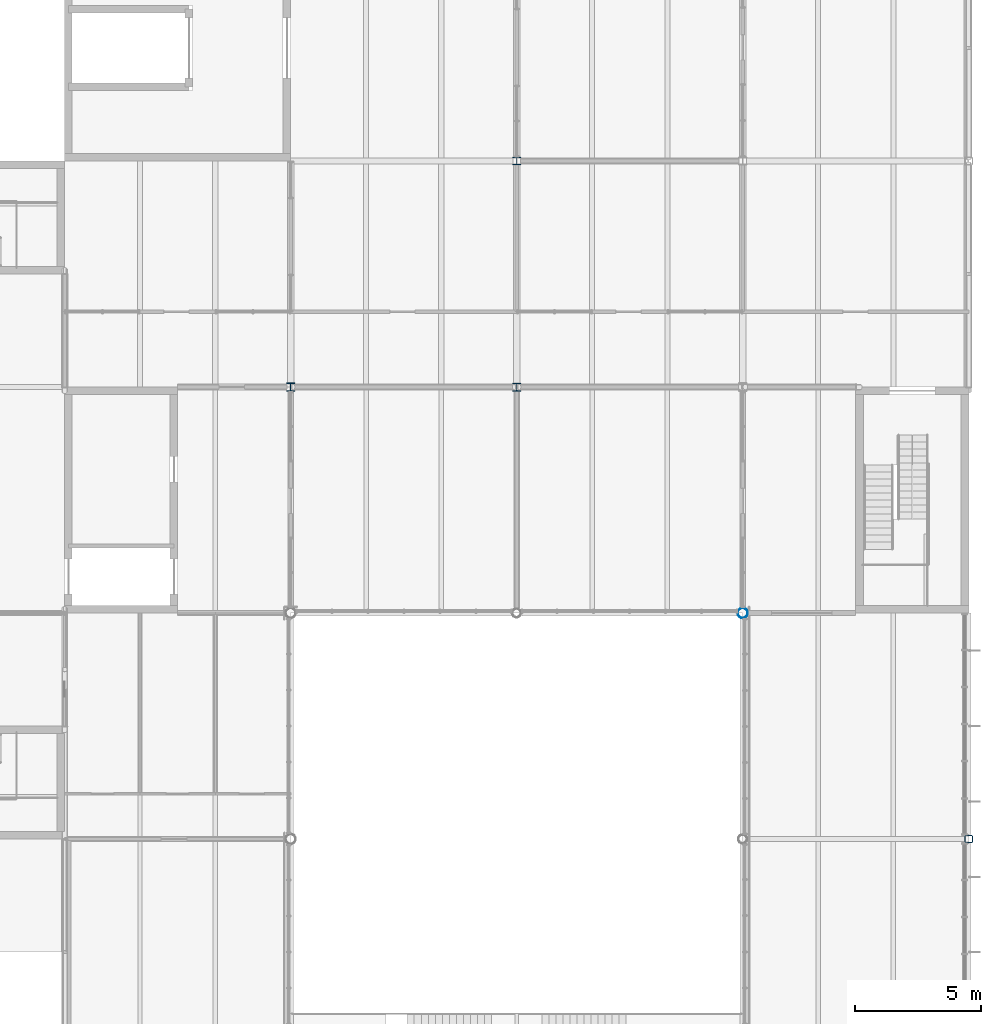
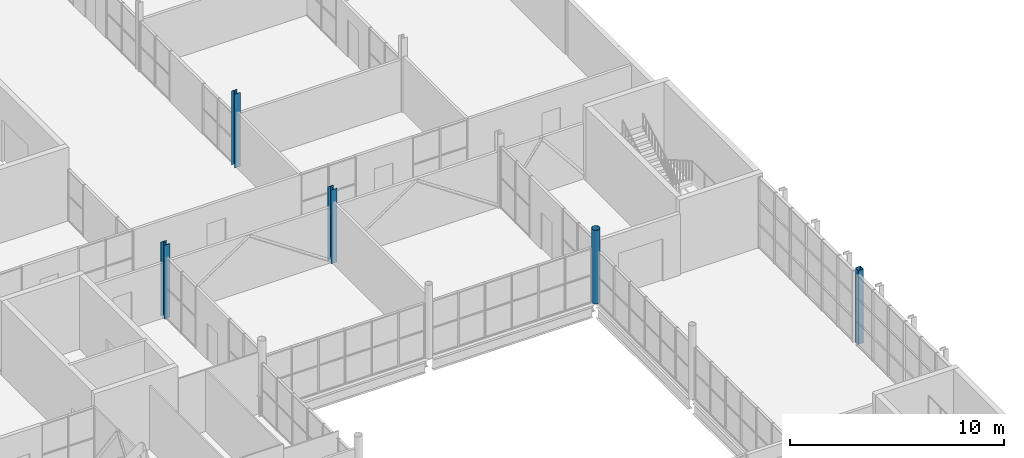
# One storey, part 5 of 57: 5 columns.
"""IFC4 building model written with IfcOpenShell, lengths in metres."""

import ifcopenshell
import ifcopenshell.guid

model = None  # the IFC model being written
_history = None  # IfcOwnerHistory: only IFC2X3 demands one
_inside = {}  # id of a spatial element -> (the spatial element, [elements in it])
_under = {}  # id of a project, library or spatial element -> (it, [spatial elements below it])
_declared = {}  # id of a project -> (the project, [libraries it declares])
_typed = {}  # id of a type object -> (the type object, [elements of that type])
_made_of = {}  # id of a material, layer set ... -> (it, [elements and type objects made of it])


def new_model(schema):
    """Start an empty IFC model of exactly this schema.

    Asked for "IFC4X3", IfcOpenShell would pick the latest addendum, in which some entities
    have other attributes; the version numbers below select the first issue.
    IFC2X3 requires an IfcOwnerHistory on every rooted entity: one is made here for all.
    """
    global model, _history
    if schema == "IFC4X3":
        model = ifcopenshell.file(schema_version=(4, 3, 0, 0))
    else:
        model = ifcopenshell.file(schema=schema)
    _inside.clear()
    _under.clear()
    _declared.clear()
    _typed.clear()
    _made_of.clear()
    _history = None
    if model.schema == "IFC2X3":
        org = make("IfcOrganization", Name="unknown")
        user = make(
            "IfcPersonAndOrganization",
            ThePerson=make("IfcPerson", FamilyName="unknown"),
            TheOrganization=org,
        )
        app = make(
            "IfcApplication",
            ApplicationDeveloper=org,
            Version="unknown",
            ApplicationFullName="unknown",
            ApplicationIdentifier="unknown",
        )
        _history = make(
            "IfcOwnerHistory",
            OwningUser=user,
            OwningApplication=app,
            ChangeAction="ADDED",
            CreationDate=0,
        )
    return model


def make(cls, **values):
    """One entity of the class cls with the attributes given. An attribute that is None is left unset."""
    return model.create_entity(
        cls, **{name: value for name, value in values.items() if value is not None}
    )


def rooted(cls, **values):
    """An entity with a GlobalId (a new one), such as an element, a storey or a relation."""
    return make(cls, GlobalId=ifcopenshell.guid.new(), OwnerHistory=_history, **values)


def si_unit(unit_type, name, prefix=None):
    """IfcSIUnit, for example si_unit("LENGTHUNIT", "METRE", prefix="MILLI")."""
    return make("IfcSIUnit", UnitType=unit_type, Prefix=prefix, Name=name)


def assignment(units):
    """IfcUnitAssignment: the units of a project."""
    return None if units is None else make("IfcUnitAssignment", Units=units)


def point(xyz):
    """IfcCartesianPoint."""
    return None if xyz is None else make("IfcCartesianPoint", Coordinates=xyz)


def direction(xyz):
    """IfcDirection."""
    return None if xyz is None else make("IfcDirection", DirectionRatios=xyz)


def frame(location, z_axis=None, x_axis=None):
    """IfcAxis2Placement3D, a coordinate frame: its origin and axes. An axis left out is left unset."""
    return make(
        "IfcAxis2Placement3D",
        Location=point(location),
        Axis=direction(z_axis),
        RefDirection=direction(x_axis),
    )


def frame_2d(location, x_axis=None):
    """IfcAxis2Placement2D, a coordinate frame in the plane: its origin and x axis."""
    return make(
        "IfcAxis2Placement2D", Location=point(location), RefDirection=direction(x_axis)
    )


def origin():
    """The frame at (0, 0, 0) with its axes left unset."""
    return frame((0.0, 0.0, 0.0))


def origin_2d():
    """The frame at (0, 0) in the plane with its x axis left unset."""
    return frame_2d((0.0, 0.0))


def place(relative_to, where):
    """IfcLocalPlacement: puts the frame where relative to a parent placement (None: the world)."""
    return make(
        "IfcLocalPlacement", PlacementRelTo=relative_to, RelativePlacement=where
    )


def context(
    kind, dimensions, precision=None, world=None, true_north=None, identifier=None
):
    """IfcGeometricRepresentationContext, for example the 3D "Model" context."""
    return make(
        "IfcGeometricRepresentationContext",
        ContextIdentifier=identifier,
        ContextType=kind,
        CoordinateSpaceDimension=dimensions,
        Precision=precision,
        WorldCoordinateSystem=world,
        TrueNorth=true_north,
    )


def subcontext(parent, identifier, kind, view, scale=None):
    """IfcGeometricRepresentationSubContext, for example "Body" below "Model"."""
    return make(
        "IfcGeometricRepresentationSubContext",
        ContextIdentifier=identifier,
        ContextType=kind,
        ParentContext=parent,
        TargetScale=scale,
        TargetView=view,
    )


def project(units=None, contexts=None):
    """IfcProject with its units and contexts."""
    return rooted(
        "IfcProject",
        Name="project",
        RepresentationContexts=contexts,
        UnitsInContext=assignment(units),
    )


def spatial(cls, under=None, at=None, **own):
    """A site, building, storey or space (cls), placed at a placement, below another one or the project."""
    s = rooted(cls, ObjectPlacement=at, **own)
    if under is not None:
        _under.setdefault(under.id(), (under, []))[1].append(s)
    return s


def profile(cls, at=None, kind="AREA", **sizes):
    """A parametric profile (cls). Its sizes go by their IFC names, for example OverallWidth=200.0."""
    return make(cls, ProfileType=kind, Position=at, **sizes)


def hollow_rectangle(**sizes):
    """IfcRectangleHollowProfileDef."""
    return profile("IfcRectangleHollowProfileDef", **sizes)


def hollow_circle(**sizes):
    """IfcCircleHollowProfileDef."""
    return profile("IfcCircleHollowProfileDef", **sizes)


def i_section(**sizes):
    """IfcIShapeProfileDef."""
    return profile("IfcIShapeProfileDef", **sizes)


def extrude(swept, where, along, depth):
    """IfcExtrudedAreaSolid: the profile swept, set in the frame where, extruded along a direction by depth."""
    return make(
        "IfcExtrudedAreaSolid",
        SweptArea=swept,
        Position=where,
        ExtrudedDirection=direction(along),
        Depth=depth,
    )


def shape(context_of_items, identifier, shape_type, items):
    """IfcShapeRepresentation: the items that make up one representation, for example the "Body"."""
    return make(
        "IfcShapeRepresentation",
        ContextOfItems=context_of_items,
        RepresentationIdentifier=identifier,
        RepresentationType=shape_type,
        Items=items,
    )


def material(Name=None, Category=None):
    """IfcMaterial."""
    return make("IfcMaterial", Name=Name, Category=Category)


def material_profile(
    of_material, cross_section, Name=None, Category=None, Priority=None
):
    """IfcMaterialProfile: a cross section and its material."""
    return make(
        "IfcMaterialProfile",
        Name=Name,
        Material=of_material,
        Profile=cross_section,
        Priority=Priority,
        Category=Category,
    )


def profile_set(profiles, Name=None, composite=None):
    """IfcMaterialProfileSet."""
    return make(
        "IfcMaterialProfileSet",
        Name=Name,
        MaterialProfiles=profiles,
        CompositeProfile=composite,
    )


def made_of(thing, what):
    """Note that an element or type object is made of a material, layer set ...; save() writes the relation."""
    if what is not None:
        _made_of.setdefault(what.id(), (what, []))[1].append(thing)
    return thing


def type_object(cls, material=None, **own):
    """A type object (cls), such as IfcWallType, which elements share."""
    return made_of(rooted(cls, **own), material)


def element(
    cls,
    number,
    at=None,
    inside=None,
    cuts=None,
    type_object=None,
    material=None,
    context=None,
    identifier="Body",
    shape_type=None,
    held_by="IfcProductDefinitionShape",
    body=None,
    shapes=None,
    **own,
):
    """One element of the class cls, such as IfcWall. Its Tag is "e" and its number.

    at: its placement. inside: the storey or other place that contains it. cuts: it is an
    opening in that element (IfcRelVoidsElement). A single representation is given by context,
    identifier, shape_type and body (its items); several are given by shapes. held_by: the class
    of the entity that holds the representations. save() writes the other relations.
    """
    e = rooted(cls, Tag="e%d" % number, ObjectPlacement=at, **own)
    if body is not None:
        shapes = [shape(context, identifier, shape_type, body)]
    if shapes is not None:
        e.Representation = make(held_by, Representations=shapes)
    if inside is not None:
        _inside.setdefault(inside.id(), (inside, []))[1].append(e)
    if cuts is not None:
        rooted(
            "IfcRelVoidsElement", RelatingBuildingElement=cuts, RelatedOpeningElement=e
        )
    if type_object is not None:
        _typed.setdefault(type_object.id(), (type_object, []))[1].append(e)
    return made_of(e, material)


def aggregate(whole, parts):
    """IfcRelAggregates: a whole, such as a stair, and the parts it consists of."""
    return rooted("IfcRelAggregates", RelatingObject=whole, RelatedObjects=parts)


def save(model, path):
    """Write the relations noted so far, then the file.

    IfcRelAggregates (storeys below a building ...), IfcRelContainedInSpatialStructure (elements
    in a storey), IfcRelDefinesByType, IfcRelAssociatesMaterial and IfcRelDeclares: one each for
    every whole, place, type object, material and project.
    """
    for whole, parts in _under.values():
        aggregate(whole, parts)
    for where, things in _inside.values():
        rooted(
            "IfcRelContainedInSpatialStructure",
            RelatedElements=things,
            RelatingStructure=where,
        )
    for kind, things in _typed.values():
        rooted("IfcRelDefinesByType", RelatedObjects=things, RelatingType=kind)
    for what, things in _made_of.values():
        rooted("IfcRelAssociatesMaterial", RelatedObjects=things, RelatingMaterial=what)
    for by, libraries in _declared.values():
        rooted("IfcRelDeclares", RelatingContext=by, RelatedDefinitions=libraries)
    model.write(path)


model = new_model("IFC4")

# Units and contexts
model_context = context("Model", 3, precision=1e-05, world=origin(), true_north=direction((0.0, 1.0)))
body_context = subcontext(model_context, "Body", "Model", "MODEL_VIEW")
ifc_project = project(units=[si_unit("LENGTHUNIT", "METRE"), si_unit("AREAUNIT", "SQUARE_METRE"), si_unit("VOLUMEUNIT", "CUBIC_METRE"), si_unit("PLANEANGLEUNIT", "RADIAN"), si_unit("MASSUNIT", "GRAM", prefix="KILO")], contexts=[model_context])

# Site, building, storey
site_placement = place(None, origin())
site = spatial("IfcSite", under=ifc_project, at=site_placement, CompositionType="ELEMENT")
building_placement = place(site_placement, origin())
building = spatial("IfcBuilding", under=site, at=building_placement, Name="Halyard Row Museum", CompositionType="ELEMENT")
storey_placement = place(building_placement, frame((0.0, 0.0, 5.0)))
storey = spatial("IfcBuildingStorey", under=building, at=storey_placement, Name="L01", CompositionType="ELEMENT", Elevation=5.0)

# Columns
ifc_material_1 = material(Name="Steel Grade C350L0", Category="steel")
ifc_material_profile_1 = material_profile(ifc_material_1, hollow_rectangle(XDim=0.300048828125, YDim=0.300048828125, WallThickness=0.01611328125, InnerFilletRadius=0.02392578125, OuterFilletRadius=0.0400390625, at=origin_2d()), Name="300x300x16.0SHS")
ifc_profile_set_1 = profile_set([ifc_material_profile_1], Name="Steel Grade C350L0")
column_type_1 = type_object("IfcColumnType", Name="Column 300x300x16.0SHS edge", PredefinedType="COLUMN", material=ifc_profile_set_1)
column_1_placement = place(storey_placement, frame((108.0, 18.0, 0.0), z_axis=(0.0, 0.0, 1.0), x_axis=(1.0, 0.0, 0.0)))
element("IfcColumn", 1, at=column_1_placement, inside=storey, type_object=column_type_1, Name="Column 13C L01", PredefinedType="COLUMN", context=body_context, shape_type="SweptSolid", body=[
    extrude(hollow_rectangle(XDim=0.300048828125, YDim=0.300048828125, WallThickness=0.01611328125, InnerFilletRadius=0.02392578125, OuterFilletRadius=0.0400390625, at=origin_2d()), origin(), (0.0, 0.0, 1.0), 4.199951171875),
])
ifc_material_2 = material(Name="Steel Grade 300", Category="steel")
ifc_material_profile_2 = material_profile(ifc_material_2, i_section(OverallWidth=0.30908203125, OverallDepth=0.320556640625, WebThickness=0.013916015625, FlangeThickness=0.021728515625, FilletRadius=0.0166015625, at=origin_2d()), Name="310UC137")
ifc_profile_set_2 = profile_set([ifc_material_profile_2], Name="Steel Grade 300")
column_type_2 = type_object("IfcColumnType", Name="Column 310UC137 interior", PredefinedType="COLUMN", material=ifc_profile_set_2)
column_2_placement = place(storey_placement, frame((90.0, 36.0, 0.0), z_axis=(0.0, 0.0, 1.0), x_axis=(1.0, 0.0, 0.0)))
element("IfcColumn", 2, at=column_2_placement, inside=storey, type_object=column_type_2, Name="Column 11E L01", PredefinedType="COLUMN", context=body_context, shape_type="SweptSolid", body=[
    extrude(i_section(OverallWidth=0.30908203125, OverallDepth=0.320556640625, WebThickness=0.013916015625, FlangeThickness=0.021728515625, FilletRadius=0.0166015625, at=origin_2d()), origin(), (0.0, 0.0, 1.0), 4.199951171875),
])
ifc_material_3 = material(Name="Steel Grade 300", Category="steel")
ifc_material_profile_3 = material_profile(ifc_material_3, i_section(OverallWidth=0.31103515625, OverallDepth=0.3271484375, WebThickness=0.015625, FlangeThickness=0.02490234375, FilletRadius=0.0166015625, at=origin_2d()), Name="310UC158")
ifc_profile_set_3 = profile_set([ifc_material_profile_3], Name="Steel Grade 300")
column_type_3 = type_object("IfcColumnType", Name="Column 310UC158 interior", PredefinedType="COLUMN", material=ifc_profile_set_3)
column_3_placement = place(storey_placement, frame((81.0, 36.0, 0.0), z_axis=(0.0, 0.0, 1.0), x_axis=(1.0, 0.0, 0.0)))
element("IfcColumn", 3, at=column_3_placement, inside=storey, type_object=column_type_3, Name="Column 10E L01", PredefinedType="COLUMN", context=body_context, shape_type="SweptSolid", body=[
    extrude(i_section(OverallWidth=0.31103515625, OverallDepth=0.3271484375, WebThickness=0.015625, FlangeThickness=0.02490234375, FilletRadius=0.0166015625, at=origin_2d()), origin(), (0.0, 0.0, 1.0), 4.199951171875),
])
ifc_material_4 = material(Name="Steel Grade 300", Category="steel")
ifc_material_profile_4 = material_profile(ifc_material_4, i_section(OverallWidth=0.304931640625, OverallDepth=0.30810546875, WebThickness=0.010009765625, FlangeThickness=0.015380859375, FilletRadius=0.0166015625, at=origin_2d()), Name="310UC96.8")
ifc_profile_set_4 = profile_set([ifc_material_profile_4], Name="Steel Grade 300")
column_type_4 = type_object("IfcColumnType", Name="Column 310UC96.8 interior", PredefinedType="COLUMN", material=ifc_profile_set_4)
column_4_placement = place(storey_placement, frame((90.0, 45.0, 0.0), z_axis=(0.0, 0.0, 1.0), x_axis=(1.0, 0.0, 0.0)))
element("IfcColumn", 4, at=column_4_placement, inside=storey, type_object=column_type_4, Name="Column 11F L01", PredefinedType="COLUMN", context=body_context, shape_type="SweptSolid", body=[
    extrude(i_section(OverallWidth=0.304931640625, OverallDepth=0.30810546875, WebThickness=0.010009765625, FlangeThickness=0.015380859375, FilletRadius=0.0166015625, at=origin_2d()), origin(), (0.0, 0.0, 1.0), 4.199951171875),
])
ifc_material_5 = material(Name="Steel Grade C350L0", Category="steel")
ifc_material_profile_5 = material_profile(ifc_material_5, hollow_circle(Radius=0.203125, WallThickness=0.0126953125, at=origin_2d()), Name="406.4x12.7CHS")
ifc_profile_set_5 = profile_set([ifc_material_profile_5], Name="Steel Grade C350L0")
column_type_5 = type_object("IfcColumnType", Name="Column 406.4x12.7CHS atrium", PredefinedType="COLUMN", material=ifc_profile_set_5)
column_5_placement = place(storey_placement, frame((99.0, 27.0, 0.0), z_axis=(0.0, 0.0, 1.0), x_axis=(1.0, 0.0, 0.0)))
element("IfcColumn", 5, at=column_5_placement, inside=storey, type_object=column_type_5, Name="Column 12D L01", PredefinedType="COLUMN", context=body_context, shape_type="SweptSolid", body=[
    extrude(hollow_circle(Radius=0.203125, WallThickness=0.0126953125, at=origin_2d()), origin(), (0.0, 0.0, 1.0), 4.199951171875),
])

save(model, "model.ifc")
